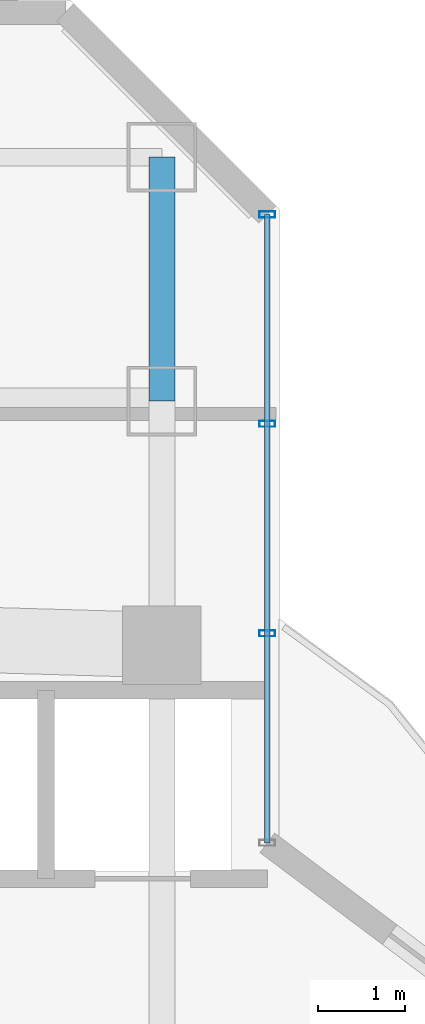
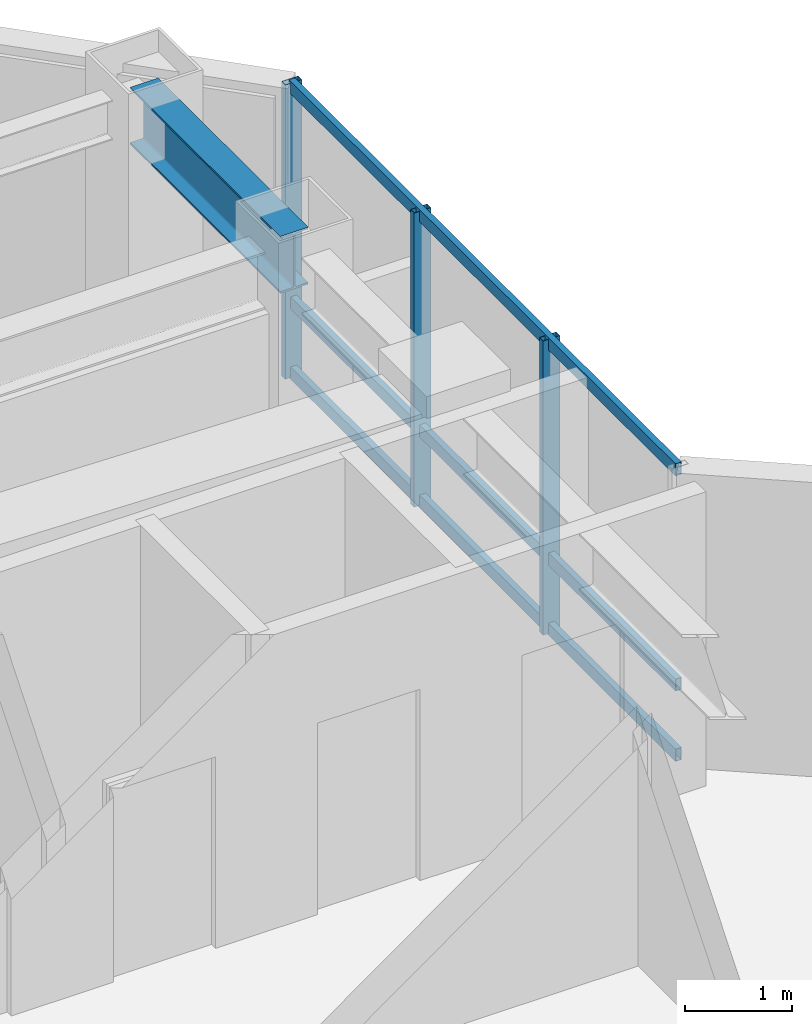
# One storey, part 19 of 27: 6 members, 1 beam, 1 element without a shape of its own.
"""IFC4 building model written with IfcOpenShell, lengths in metres."""

from ifc_helpers import new_model, si_unit, direction, frame, origin, origin_2d, place, context, subcontext, project, spatial, hollow_rectangle, i_section, extrude, material, layer, layer_set, material_profile, profile_set, type_object, element, aggregate, save


model = new_model("IFC4")

# Units and contexts
model_context = context("Model", 3, precision=1e-05, world=origin(), true_north=direction((0.0, 1.0)))
body_context = subcontext(model_context, "Body", "Model", "MODEL_VIEW")
ifc_project = project(units=[si_unit("LENGTHUNIT", "METRE"), si_unit("AREAUNIT", "SQUARE_METRE"), si_unit("VOLUMEUNIT", "CUBIC_METRE"), si_unit("PLANEANGLEUNIT", "RADIAN"), si_unit("MASSUNIT", "GRAM", prefix="KILO")], contexts=[model_context])

# Site, building, storey
site_placement = place(None, origin())
site = spatial("IfcSite", under=ifc_project, at=site_placement, CompositionType="ELEMENT")
building_placement = place(site_placement, origin())
building = spatial("IfcBuilding", under=site, at=building_placement, Name="Hatsunagi Terrace Concourse", CompositionType="ELEMENT")
storey_placement = place(building_placement, frame((0.0, 0.0, 174.449951171875)))
storey = spatial("IfcBuildingStorey", under=building, at=storey_placement, Name="L46", CompositionType="ELEMENT", Elevation=174.449951171875)

# Curtain wall, members
ifc_material_1 = material(Name="Anodised Aluminium Alloy 6063-T5", Category="aluminium")
ifc_layer = layer(ifc_material_1, 0.199951171875)
ifc_layer_set = layer_set([ifc_layer], Name="OfficeZone1_CW03")
curtain_wall_type = type_object("IfcCurtainWallType", Name="OfficeZone1_CW03", PredefinedType="NOTDEFINED", material=ifc_layer_set)
curtain_wall_placement = place(storey_placement, origin())
curtain_wall = element("IfcCurtainWall", 1, at=curtain_wall_placement, inside=storey, type_object=curtain_wall_type, Name="Unitised Curtain Wall CW-03 CW-L46-13", PredefinedType="NOTDEFINED")
ifc_material_2 = material(Name="Anodised Aluminium Alloy 6063-T5", Category="aluminium")
ifc_material_profile_1 = material_profile(ifc_material_2, hollow_rectangle(XDim=0.070068359375, YDim=0.179931640625, WallThickness=0.00390625, at=origin_2d()), Name="ALU-MUL-180x70x4")
ifc_profile_set_1 = profile_set([ifc_material_profile_1], Name="Anodised Aluminium Alloy 6063-T5")
member_type_1 = type_object("IfcMemberType", Name="CurtainWallMullion_180x70", PredefinedType="MULLION", material=ifc_profile_set_1)
member_1_placement = place(storey_placement, frame((44.860107421875, 47.94189453125, 0.0), z_axis=(0.0, 0.0, 1.0), x_axis=(0.0, -1.0, 0.0)))
member_1 = element("IfcMember", 2, at=member_1_placement, type_object=member_type_1, Name="Curtain Wall Mullion MUL-02", PredefinedType="MULLION", context=body_context, shape_type="SweptSolid", body=[
    extrude(hollow_rectangle(XDim=0.070068359375, YDim=0.179931640625, WallThickness=0.00390625, at=origin_2d()), origin(), (0.0, 0.0, 1.0), 3.35009765625),
])
member_2_placement = place(storey_placement, frame((44.860107421875, 45.5380859375, 0.0), z_axis=(0.0, 0.0, 1.0), x_axis=(0.0, -1.0, 0.0)))
member_2 = element("IfcMember", 3, at=member_2_placement, type_object=member_type_1, Name="Curtain Wall Mullion MUL-02", PredefinedType="MULLION", context=body_context, shape_type="SweptSolid", body=[
    extrude(hollow_rectangle(XDim=0.070068359375, YDim=0.179931640625, WallThickness=0.00390625, at=origin_2d()), origin(), (0.0, 0.0, 1.0), 3.35009765625),
])
member_3_placement = place(storey_placement, frame((44.860107421875, 43.134033203125, 0.0), z_axis=(0.0, 0.0, 1.0), x_axis=(0.0, -1.0, 0.0)))
member_3 = element("IfcMember", 4, at=member_3_placement, type_object=member_type_1, Name="Curtain Wall Mullion MUL-02", PredefinedType="MULLION", context=body_context, shape_type="SweptSolid", body=[
    extrude(hollow_rectangle(XDim=0.070068359375, YDim=0.179931640625, WallThickness=0.00390625, at=origin_2d()), origin(), (0.0, 0.0, 1.0), 3.35009765625),
])
ifc_material_3 = material(Name="Anodised Aluminium Alloy 6063-T5", Category="aluminium")
ifc_material_profile_2 = material_profile(ifc_material_3, hollow_rectangle(XDim=0.06494140625, YDim=0.139892578125, WallThickness=0.00390625, at=origin_2d()), Name="ALU-TRN-140x65x4")
ifc_profile_set_2 = profile_set([ifc_material_profile_2], Name="Anodised Aluminium Alloy 6063-T5")
member_type_2 = type_object("IfcMemberType", Name="CurtainWallTransom_140x65", PredefinedType="USERDEFINED", material=ifc_profile_set_2)
member_4_placement = place(storey_placement, frame((44.860107421875, 47.94189453125, 0.050048828125), z_axis=(0.0, -1.0, 0.0), x_axis=(1.0, 0.0, 0.0)))
member_4 = element("IfcMember", 5, at=member_4_placement, type_object=member_type_2, Name="Curtain Wall Transom TRN-02", ObjectType="TRANSOM", PredefinedType="USERDEFINED", context=body_context, shape_type="SweptSolid", body=[
    extrude(hollow_rectangle(XDim=0.06494140625, YDim=0.139892578125, WallThickness=0.00390625, at=origin_2d()), origin(), (0.0, 0.0, 1.0), 7.2119140625),
])
member_5_placement = place(storey_placement, frame((44.860107421875, 47.94189453125, 0.85009765625), z_axis=(0.0, -1.0, 0.0), x_axis=(1.0, 0.0, 0.0)))
member_5 = element("IfcMember", 6, at=member_5_placement, type_object=member_type_2, Name="Curtain Wall Transom TRN-02", ObjectType="TRANSOM", PredefinedType="USERDEFINED", context=body_context, shape_type="SweptSolid", body=[
    extrude(hollow_rectangle(XDim=0.06494140625, YDim=0.139892578125, WallThickness=0.00390625, at=origin_2d()), origin(), (0.0, 0.0, 1.0), 7.2119140625),
])
member_6_placement = place(storey_placement, frame((44.860107421875, 47.94189453125, 3.300048828125), z_axis=(0.0, -1.0, 0.0), x_axis=(1.0, 0.0, 0.0)))
member_6 = element("IfcMember", 7, at=member_6_placement, type_object=member_type_2, Name="Curtain Wall Transom TRN-02", ObjectType="TRANSOM", PredefinedType="USERDEFINED", context=body_context, shape_type="SweptSolid", body=[
    extrude(hollow_rectangle(XDim=0.06494140625, YDim=0.139892578125, WallThickness=0.00390625, at=origin_2d()), origin(), (0.0, 0.0, 1.0), 7.2119140625),
])
aggregate(curtain_wall, [member_1, member_2, member_3, member_4, member_5, member_6])

# Beam
ifc_material_4 = material(Name="Steel SN490B", Category="steel")
ifc_material_profile_3 = material_profile(ifc_material_4, i_section(OverallWidth=0.300048828125, OverallDepth=0.64990234375, WebThickness=0.012939453125, FlangeThickness=0.02197265625, FilletRadius=0.01806640625, at=origin_2d()), Name="H-650x300x13x22")
ifc_profile_set_3 = profile_set([ifc_material_profile_3], Name="Steel SN490B")
beam_type = type_object("IfcBeamType", Name="OfficeLowGirder_H_650x300", PredefinedType="BEAM", material=ifc_profile_set_3)
beam_placement = place(storey_placement, frame((43.64990234375, 45.800048828125, 3.025146484375), z_axis=(0.0, 1.0, 0.0), x_axis=(-1.0, 0.0, 0.0)))
element("IfcBeam", 8, at=beam_placement, inside=storey, type_object=beam_type, Name="Beam G-05 BM-L46-KN-WN6", PredefinedType="BEAM", context=body_context, shape_type="SweptSolid", body=[
    extrude(i_section(OverallWidth=0.300048828125, OverallDepth=0.64990234375, WebThickness=0.012939453125, FlangeThickness=0.02197265625, FilletRadius=0.01806640625, at=origin_2d()), origin(), (0.0, 0.0, 1.0), 2.800048828125),
])

save(model, "model.ifc")
